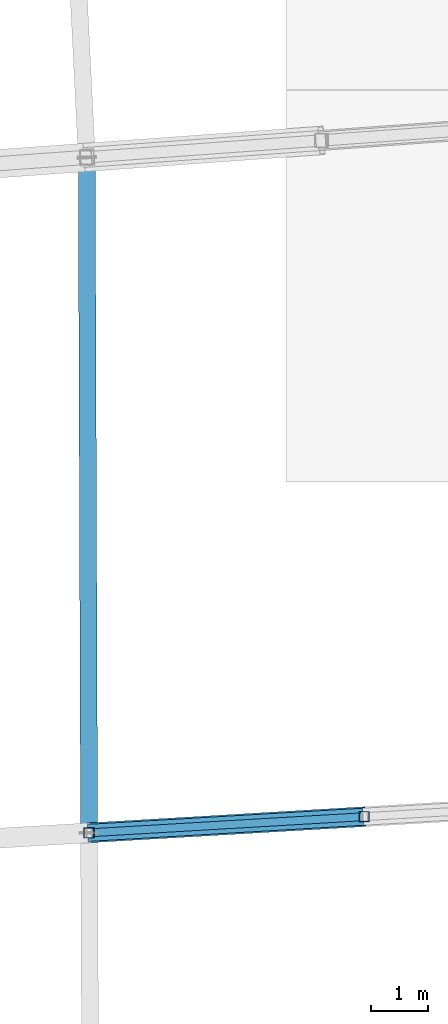
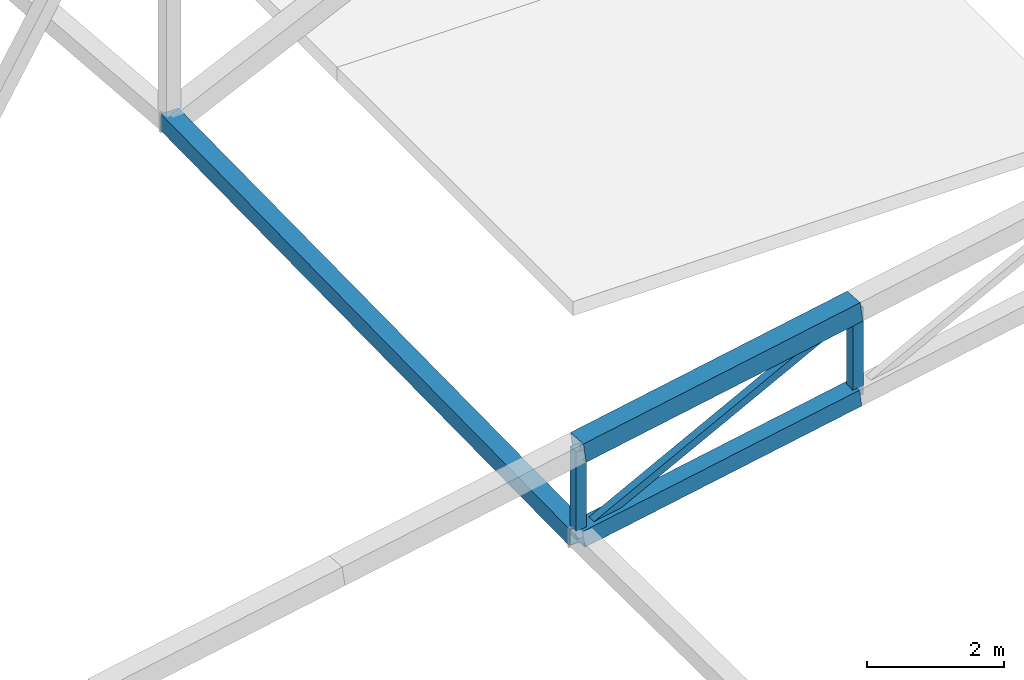
# One storey, part 92 of 188: 6 members.
"""IFC4 building model written with IfcOpenShell, lengths in metres."""

from ifc_helpers import new_model, si_unit, direction, frame, origin, origin_2d, place, context, subcontext, project, spatial, hollow_rectangle, extrude, material, material_profile, profile_set, type_object, element, save


model = new_model("IFC4")

# Units and contexts
model_context = context("Model", 3, precision=1e-05, world=origin(), true_north=direction((0.0, 1.0)))
body_context = subcontext(model_context, "Body", "Model", "MODEL_VIEW")
ifc_project = project(units=[si_unit("LENGTHUNIT", "METRE"), si_unit("AREAUNIT", "SQUARE_METRE"), si_unit("VOLUMEUNIT", "CUBIC_METRE"), si_unit("PLANEANGLEUNIT", "RADIAN"), si_unit("MASSUNIT", "GRAM", prefix="KILO")], contexts=[model_context])

# Site, building, storey
site_placement = place(None, origin())
site = spatial("IfcSite", under=ifc_project, at=site_placement, CompositionType="ELEMENT")
building_placement = place(site_placement, origin())
building = spatial("IfcBuilding", under=site, at=building_placement, Name="Meseta Stadium", CompositionType="ELEMENT")
storey_placement = place(building_placement, frame((0.0, 0.0, 30.0)))
storey = spatial("IfcBuildingStorey", under=building, at=storey_placement, Name="ROOF", CompositionType="ELEMENT", Elevation=30.0)

# Members
ifc_material_1 = material(Name="Steel S355", Category="steel")
ifc_material_profile_1 = material_profile(ifc_material_1, hollow_rectangle(XDim=0.139892578125, YDim=0.139892578125, WallThickness=0.0048828125, at=origin_2d()), Name="SHS 140x140x5")
ifc_profile_set_1 = profile_set([ifc_material_profile_1], Name="Steel S355")
member_type_1 = type_object("IfcMemberType", Name="SHS 140x140x5 diagonal", PredefinedType="BRACE", material=ifc_profile_set_1)
member_1_placement = place(storey_placement, frame((84.92529296875, 30.681640625, 0.800048828125), z_axis=(0.908141634093, 0.053349998086, 0.415249985106), x_axis=(-0.058645231896, 0.998278887273, 0.0)))
element("IfcMember", 1, at=member_1_placement, inside=storey, type_object=member_type_1, Name="ROOF TRUSS RT-07 diagonal", PredefinedType="BRACE", context=body_context, shape_type="SweptSolid", body=[
    extrude(hollow_rectangle(XDim=0.139892578125, YDim=0.139892578125, WallThickness=0.0048828125, at=origin_2d()), origin(), (0.0, 0.0, 1.0), 5.32666015625),
])
ifc_material_2 = material(Name="Steel S355", Category="steel")
ifc_material_profile_2 = material_profile(ifc_material_2, hollow_rectangle(XDim=0.179931640625, YDim=0.179931640625, WallThickness=0.00634765625, at=origin_2d()), Name="SHS 180x180x6.3")
ifc_profile_set_2 = profile_set([ifc_material_profile_2], Name="Steel S355")
member_type_2 = type_object("IfcMemberType", Name="SHS 180x180x6.3 post", PredefinedType="POST", material=ifc_profile_set_2)
for number, where, z_axis, x_axis, name in (
    (2, (84.92529296875, 30.681640625, 0.800048828125), (0.0, 0.0, 1.0), (1.0, 0.0, 0.0), "ROOF TRUSS RT-07 post"),
    (3, (89.7626953125, 30.9658203125, 1.45751953125), (0.0, 0.0, 1.0), (1.0, 0.0, 0.0), "ROOF TRUSS RT-07 post"),
):
    element("IfcMember", number, at=place(storey_placement, frame(where, z_axis=z_axis, x_axis=x_axis)), inside=storey, type_object=member_type_2, Name=name, PredefinedType="POST", context=body_context, shape_type="SweptSolid", body=[
        extrude(hollow_rectangle(XDim=0.179931640625, YDim=0.179931640625, WallThickness=0.00634765625, at=origin_2d()), origin(), (0.0, 0.0, 1.0), 1.554443359375),
    ])
ifc_material_3 = material(Name="Steel S355", Category="steel")
ifc_material_profile_3 = material_profile(ifc_material_3, hollow_rectangle(XDim=0.300048828125, YDim=0.300048828125, WallThickness=0.010009765625, at=origin_2d()), Name="SHS 300x300x10")
ifc_profile_set_3 = profile_set([ifc_material_profile_3], Name="Steel S355")
member_type_3 = type_object("IfcMemberType", Name="SHS 300x300x10 bottom chord", PredefinedType="CHORD", material=ifc_profile_set_3)
member_2_placement = place(storey_placement, frame((84.92529296875, 30.681640625, 0.800048828125), z_axis=(0.989215138937, 0.058112769846, 0.134448186593), x_axis=(-0.058645231896, 0.998278887273, 0.0)))
element("IfcMember", 4, at=member_2_placement, inside=storey, type_object=member_type_3, Name="ROOF TRUSS RT-07 bottom chord", PredefinedType="CHORD", context=body_context, shape_type="SweptSolid", body=[
    extrude(hollow_rectangle(XDim=0.300048828125, YDim=0.300048828125, WallThickness=0.010009765625, at=origin_2d()), origin(), (0.0, 0.0, 1.0), 4.89013671875),
])
ifc_material_4 = material(Name="Steel S355", Category="steel")
ifc_material_profile_4 = material_profile(ifc_material_4, hollow_rectangle(XDim=0.300048828125, YDim=0.300048828125, WallThickness=0.010009765625, at=origin_2d()), Name="SHS 300x300x10")
ifc_profile_set_4 = profile_set([ifc_material_profile_4], Name="Steel S355")
member_type_4 = type_object("IfcMemberType", Name="SHS 300x300x10 pivot strut", PredefinedType="STRUT", material=ifc_profile_set_4)
member_3_placement = place(storey_placement, frame((84.92529296875, 30.681640625, 0.800048828125), z_axis=(-0.003472432933, 0.999814121516, 0.018964826021), x_axis=(-0.999993968917, -0.003473057557, 0.0)))
element("IfcMember", 5, at=member_3_placement, inside=storey, type_object=member_type_4, Name="ROOF PIVOT STRUT RT-07/08", PredefinedType="STRUT", context=body_context, shape_type="SweptSolid", body=[
    extrude(hollow_rectangle(XDim=0.300048828125, YDim=0.300048828125, WallThickness=0.010009765625, at=origin_2d()), origin(), (0.0, 0.0, 1.0), 11.882080078125),
])
ifc_material_5 = material(Name="Steel S355", Category="steel")
ifc_material_profile_5 = material_profile(ifc_material_5, hollow_rectangle(XDim=0.35009765625, YDim=0.35009765625, WallThickness=0.010009765625, at=origin_2d()), Name="SHS 350x350x10")
ifc_profile_set_5 = profile_set([ifc_material_profile_5], Name="Steel S355")
member_type_5 = type_object("IfcMemberType", Name="SHS 350x350x10 top chord", PredefinedType="CHORD", material=ifc_profile_set_5)
member_4_placement = place(storey_placement, frame((84.92529296875, 30.681640625, 2.3544921875), z_axis=(0.989215138937, 0.058112769846, 0.134448186593), x_axis=(-0.058645231896, 0.998278887273, 0.0)))
element("IfcMember", 6, at=member_4_placement, inside=storey, type_object=member_type_5, Name="ROOF TRUSS RT-07 top chord", PredefinedType="CHORD", context=body_context, shape_type="SweptSolid", body=[
    extrude(hollow_rectangle(XDim=0.35009765625, YDim=0.35009765625, WallThickness=0.010009765625, at=origin_2d()), origin(), (0.0, 0.0, 1.0), 4.89013671875),
])

save(model, "model.ifc")
